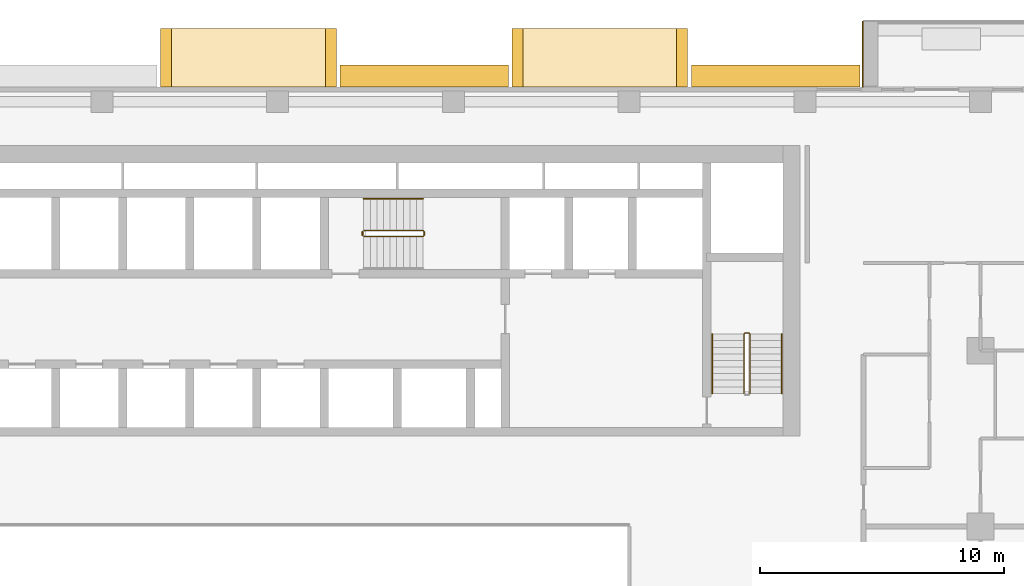
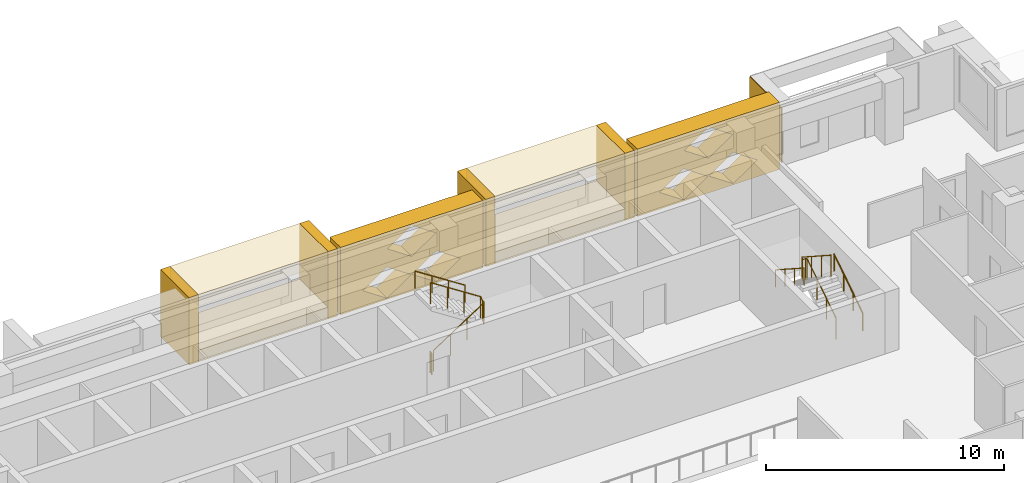
# One storey, part 18 of 19: 11 coverings, 6 railings.
"""IFC4 building model written with IfcOpenShell, lengths in metres."""

from ifc_helpers import new_model, si_unit, direction, frame, origin, origin_2d, place, context, subcontext, project, spatial, polyline, circle, outline, extrude, material, layer, layer_set, type_object, element, save


model = new_model("IFC4")

# Units and contexts
model_context = context("Model", 3, precision=1e-05, world=origin(), true_north=direction((0.0, 1.0)))
body_context = subcontext(model_context, "Body", "Model", "MODEL_VIEW")
ifc_project = project(units=[si_unit("LENGTHUNIT", "METRE"), si_unit("AREAUNIT", "SQUARE_METRE"), si_unit("VOLUMEUNIT", "CUBIC_METRE"), si_unit("PLANEANGLEUNIT", "RADIAN"), si_unit("MASSUNIT", "GRAM", prefix="KILO")], contexts=[model_context])

# Site, building, storey
site_placement = place(None, origin())
site = spatial("IfcSite", under=ifc_project, at=site_placement, CompositionType="ELEMENT")
building_placement = place(site_placement, origin())
building = spatial("IfcBuilding", under=site, at=building_placement, Name="Saffron Iwan Residences", CompositionType="ELEMENT")
storey_placement = place(building_placement, frame((0.0, 0.0, 134.0)))
storey = spatial("IfcBuildingStorey", under=building, at=storey_placement, Name="L35", CompositionType="ELEMENT", Elevation=134.0)

# Coverings
ifc_material_1 = material(Name="Precast concrete C40/50 white painted", Category="concrete")
ifc_layer = layer(ifc_material_1, 0.050048828125)
ifc_layer_set = layer_set([ifc_layer], Name="Precast concrete C40/50 white painted")
covering_type_1 = type_object("IfcCoveringType", Name="FRAME SKIN PRECAST WHITE 50", PredefinedType="CLADDING", material=ifc_layer_set)
covering_placement = place(storey_placement, origin())
element("IfcCovering", 1, at=covering_placement, inside=storey, type_object=covering_type_1, Name="Frame skin fin L35 F5-0b", PredefinedType="CLADDING", context=body_context, shape_type="SweptSolid", body=[
    extrude(outline(polyline([(74.39990234375, 83.10009765625), (74.35009765625, 83.10009765625), (74.35009765625, 80.39990234375), (74.39990234375, 80.39990234375), (74.39990234375, 83.10009765625)])), origin(), (0.0, 0.0, 1.0), 2.800048828125),
])
ifc_material_2 = material(Name="Precast concrete C40/50", Category="concrete")
covering_type_2 = type_object("IfcCoveringType", Name="OUTER SKIN LATTICE SCREEN", PredefinedType="CLADDING", material=ifc_material_2)
for number, where, z_axis, x_axis, name in (
    (2, (74.25, 80.39990234375, -0.300048828125), (0.0, 1.0, 0.0), (-1.0, 0.0, 0.0), "OUTER SKIN lattice screen L35 F5.1"),
    (3, (59.85009765625, 80.39990234375, -0.300048828125), (0.0, 1.0, 0.0), (-1.0, 0.0, 0.0), "OUTER SKIN lattice screen L35 F5.2"),
):
    element("IfcCovering", number, at=place(storey_placement, frame(where, z_axis=z_axis, x_axis=x_axis)), inside=storey, type_object=covering_type_2, Name=name, PredefinedType="CLADDING", context=body_context, shape_type="SweptSolid", body=[
        extrude(outline(polyline([(0.0, 0.0), (6.89990234375, 0.0), (6.89990234375, 3.449951171875), (0.0, 3.449951171875), (0.0, 0.0)]), holes=[polyline([(1.070068359375, 0.862548828125), (2.25, 0.06005859375), (3.429931640625, 0.862548828125), (2.25, 1.6650390625), (1.070068359375, 0.862548828125)]), polyline([(3.469970703125, 0.862548828125), (4.64990234375, 0.06005859375), (5.830078125, 0.862548828125), (4.64990234375, 1.6650390625), (3.469970703125, 0.862548828125)]), polyline([(2.27001953125, 2.58740234375), (3.449951171875, 1.784912109375), (4.6298828125, 2.58740234375), (3.449951171875, 3.389892578125), (2.27001953125, 2.58740234375)])]), origin(), (0.0, 0.0, 1.0), 0.900146484375),
    ])

# Railings
ifc_material_3 = material(Name="Steel S355", Category="steel")
railing_type_1 = type_object("IfcRailingType", Name="Stair guard 1100", PredefinedType="GUARDRAIL", material=ifc_material_3)
railing_1_placement = place(storey_placement, frame((53.925048828125, 74.27490234375, 0.175048828125)))
element("IfcRailing", 4, at=railing_1_placement, inside=storey, type_object=railing_type_1, Name="L35 ST-C stair guard 1", PredefinedType="GUARDRAIL", context=body_context, shape_type="SweptSolid", body=[
    extrude(circle(Radius=0.02392578125, at=origin_2d()), frame((0.0, 0.0, 1.076171875), z_axis=(0.839153699163, 0.0, 0.543894354798), x_axis=(0.0, 1.0, 0.0)), (0.0, 0.0, 1.0), 2.895751953125),
    extrude(circle(Radius=0.02392578125, at=origin_2d()), frame((2.429931640625, 0.0, 2.65087890625), z_axis=(0.707106781187, 0.707106781187, 0.0), x_axis=(-0.707106781187, 0.707106781187, 0.0)), (0.0, 0.0, 1.0), 0.07080078125),
    extrude(circle(Radius=0.02392578125, at=origin_2d()), frame((2.47998046875, 0.050048828125, 2.65087890625), z_axis=(0.0, 1.0, 0.0), x_axis=(-1.0, 0.0, 0.0)), (0.0, 0.0, 1.0), 0.150146484375),
    extrude(circle(Radius=0.02392578125, at=origin_2d()), frame((2.47998046875, 0.2001953125, 2.65087890625), z_axis=(-0.265155923931, 0.263862480399, 0.927399011991), x_axis=(-0.705375805398, -0.708833529934, 0.0)), (0.0, 0.0, 1.0), 0.188720703125),
    extrude(circle(Radius=0.02392578125, at=origin_2d()), frame((2.429931640625, 0.25, 2.826171875), z_axis=(-0.839153699163, 0.0, 0.543894354798), x_axis=(0.0, -1.0, 0.0)), (0.0, 0.0, 1.0), 2.895751953125),
    extrude(circle(Radius=0.02099609375, at=origin_2d()), origin(), (0.0, 0.0, 1.0), 1.052001953125),
    extrude(circle(Radius=0.02099609375, at=origin_2d()), frame((0.81005859375, 0.0, 0.52490234375)), (0.0, 0.0, 1.0), 1.052001953125),
    extrude(circle(Radius=0.02099609375, at=origin_2d()), frame((1.619873046875, 0.0, 1.050048828125)), (0.0, 0.0, 1.0), 1.052001953125),
    extrude(circle(Radius=0.02099609375, at=origin_2d()), frame((2.429931640625, 0.0, 1.574951171875)), (0.0, 0.0, 1.0), 1.052001953125),
    extrude(circle(Radius=0.02099609375, at=origin_2d()), frame((2.47998046875, 0.050048828125, 1.574951171875)), (0.0, 0.0, 1.0), 1.052001953125),
    extrude(circle(Radius=0.02099609375, at=origin_2d()), frame((2.47998046875, 0.2001953125, 1.574951171875)), (0.0, 0.0, 1.0), 1.052001953125),
    extrude(circle(Radius=0.02099609375, at=origin_2d()), frame((2.429931640625, 0.25, 1.75)), (0.0, 0.0, 1.0), 1.052001953125),
    extrude(circle(Radius=0.02099609375, at=origin_2d()), frame((1.619873046875, 0.25, 2.27490234375)), (0.0, 0.0, 1.0), 1.052001953125),
    extrude(circle(Radius=0.02099609375, at=origin_2d()), frame((0.81005859375, 0.25, 2.800048828125)), (0.0, 0.0, 1.0), 1.052001953125),
    extrude(circle(Radius=0.02099609375, at=origin_2d()), frame((0.0, 0.25, 3.324951171875)), (0.0, 0.0, 1.0), 1.052001953125),
])
railing_2_placement = place(storey_placement, frame((53.875, 74.324951171875, 0.0)))
element("IfcRailing", 5, at=railing_2_placement, inside=storey, type_object=railing_type_1, Name="L35 ST-C stair guard 2", PredefinedType="GUARDRAIL", context=body_context, shape_type="SweptSolid", body=[
    extrude(circle(Radius=0.02392578125, at=origin_2d()), frame((0.0, 0.0, 1.076171875), z_axis=(0.0, 1.0, 0.0), x_axis=(-1.0, 0.0, 0.0)), (0.0, 0.0, 1.0), 0.150146484375),
    extrude(circle(Radius=0.02099609375, at=origin_2d()), origin(), (0.0, 0.0, 1.0), 1.052001953125),
    extrude(circle(Radius=0.02099609375, at=origin_2d()), frame((0.0, 0.150146484375, 0.0)), (0.0, 0.0, 1.0), 1.052001953125),
])
railing_3_placement = place(storey_placement, frame((69.75, 67.85009765625, 0.175048828125)))
element("IfcRailing", 6, at=railing_3_placement, inside=storey, type_object=railing_type_1, Name="L35 ST-E stair guard 1", PredefinedType="GUARDRAIL", context=body_context, shape_type="SweptSolid", body=[
    extrude(circle(Radius=0.02392578125, at=origin_2d()), frame((0.0, 0.0, 1.076171875), z_axis=(0.0, 0.839153699163, 0.543894354798), x_axis=(-1.0, 0.0, 0.0)), (0.0, 0.0, 1.0), 2.895751953125),
    extrude(circle(Radius=0.02392578125, at=origin_2d()), frame((0.0, 2.429931640625, 2.65087890625), z_axis=(-0.707106781187, 0.707106781187, 0.0), x_axis=(-0.707106781187, -0.707106781187, 0.0)), (0.0, 0.0, 1.0), 0.07080078125),
    extrude(circle(Radius=0.02392578125, at=origin_2d()), frame((-0.050048828125, 2.47998046875, 2.65087890625), z_axis=(-1.0, 0.0, 0.0), x_axis=(0.0, -1.0, 0.0)), (0.0, 0.0, 1.0), 0.14990234375),
    extrude(circle(Radius=0.02392578125, at=origin_2d()), frame((-0.199951171875, 2.47998046875, 2.65087890625), z_axis=(-0.265065253269, -0.265065253269, 0.927081885822), x_axis=(0.707106781187, -0.707106781187, 0.0)), (0.0, 0.0, 1.0), 0.188720703125),
    extrude(circle(Radius=0.02392578125, at=origin_2d()), frame((-0.25, 2.429931640625, 2.826171875), z_axis=(0.0, -0.839153699163, 0.543894354798), x_axis=(1.0, 0.0, 0.0)), (0.0, 0.0, 1.0), 2.895751953125),
    extrude(circle(Radius=0.02099609375, at=origin_2d()), origin(), (0.0, 0.0, 1.0), 1.052001953125),
    extrude(circle(Radius=0.02099609375, at=origin_2d()), frame((0.0, 0.81005859375, 0.52490234375)), (0.0, 0.0, 1.0), 1.052001953125),
    extrude(circle(Radius=0.02099609375, at=origin_2d()), frame((0.0, 1.619873046875, 1.050048828125)), (0.0, 0.0, 1.0), 1.052001953125),
    extrude(circle(Radius=0.02099609375, at=origin_2d()), frame((0.0, 2.429931640625, 1.574951171875)), (0.0, 0.0, 1.0), 1.052001953125),
    extrude(circle(Radius=0.02099609375, at=origin_2d()), frame((-0.050048828125, 2.47998046875, 1.574951171875)), (0.0, 0.0, 1.0), 1.052001953125),
    extrude(circle(Radius=0.02099609375, at=origin_2d()), frame((-0.199951171875, 2.47998046875, 1.574951171875)), (0.0, 0.0, 1.0), 1.052001953125),
    extrude(circle(Radius=0.02099609375, at=origin_2d()), frame((-0.25, 2.429931640625, 1.75)), (0.0, 0.0, 1.0), 1.052001953125),
    extrude(circle(Radius=0.02099609375, at=origin_2d()), frame((-0.25, 1.619873046875, 2.27490234375)), (0.0, 0.0, 1.0), 1.052001953125),
    extrude(circle(Radius=0.02099609375, at=origin_2d()), frame((-0.25, 0.81005859375, 2.800048828125)), (0.0, 0.0, 1.0), 1.052001953125),
    extrude(circle(Radius=0.02099609375, at=origin_2d()), frame((-0.25, 0.0, 3.324951171875)), (0.0, 0.0, 1.0), 1.052001953125),
])
ifc_material_4 = material(Name="Stainless steel 316", Category="steel")
railing_type_2 = type_object("IfcRailingType", Name="Stair handrail 900", PredefinedType="HANDRAIL", material=ifc_material_4)
railing_4_placement = place(storey_placement, frame((56.35498046875, 75.824951171875, 1.925048828125)))
element("IfcRailing", 7, at=railing_4_placement, inside=storey, type_object=railing_type_2, Name="L35 ST-C stair handrail 2", PredefinedType="HANDRAIL", context=body_context, shape_type="SweptSolid", body=[
    extrude(circle(Radius=0.02392578125, at=origin_2d()), frame((0.0, 0.0, 0.8759765625), z_axis=(-0.839153699163, 0.0, 0.543894354798), x_axis=(0.0, -1.0, 0.0)), (0.0, 0.0, 1.0), 2.895751953125),
    extrude(circle(Radius=0.02099609375, at=origin_2d()), origin(), (0.0, 0.0, 1.0), 0.851806640625),
    extrude(circle(Radius=0.02099609375, at=origin_2d()), frame((-0.81005859375, 0.0, 0.52490234375)), (0.0, 0.0, 1.0), 0.851806640625),
    extrude(circle(Radius=0.02099609375, at=origin_2d()), frame((-1.619873046875, 0.0, 1.050048828125)), (0.0, 0.0, 1.0), 0.851806640625),
    extrude(circle(Radius=0.02099609375, at=origin_2d()), frame((-2.429931640625, 0.0, 1.574951171875)), (0.0, 0.0, 1.0), 0.851806640625),
])
railing_5_placement = place(storey_placement, frame((71.050048828125, 67.85009765625, 0.175048828125)))
element("IfcRailing", 8, at=railing_5_placement, inside=storey, type_object=railing_type_2, Name="L35 ST-E stair handrail 1", PredefinedType="HANDRAIL", context=body_context, shape_type="SweptSolid", body=[
    extrude(circle(Radius=0.02392578125, at=origin_2d()), frame((0.0, 0.0, 0.8759765625), z_axis=(0.0, 0.839153699163, 0.543894354798), x_axis=(-1.0, 0.0, 0.0)), (0.0, 0.0, 1.0), 2.895751953125),
    extrude(circle(Radius=0.02099609375, at=origin_2d()), origin(), (0.0, 0.0, 1.0), 0.851806640625),
    extrude(circle(Radius=0.02099609375, at=origin_2d()), frame((0.0, 0.81005859375, 0.52490234375)), (0.0, 0.0, 1.0), 0.851806640625),
    extrude(circle(Radius=0.02099609375, at=origin_2d()), frame((0.0, 1.619873046875, 1.050048828125)), (0.0, 0.0, 1.0), 0.851806640625),
    extrude(circle(Radius=0.02099609375, at=origin_2d()), frame((0.0, 2.429931640625, 1.574951171875)), (0.0, 0.0, 1.0), 0.851806640625),
])
railing_6_placement = place(storey_placement, frame((68.199951171875, 70.280029296875, 1.925048828125)))
element("IfcRailing", 9, at=railing_6_placement, inside=storey, type_object=railing_type_2, Name="L35 ST-E stair handrail 2", PredefinedType="HANDRAIL", context=body_context, shape_type="SweptSolid", body=[
    extrude(circle(Radius=0.02392578125, at=origin_2d()), frame((0.0, 0.0, 0.8759765625), z_axis=(0.0, -0.839153699163, 0.543894354798), x_axis=(1.0, 0.0, 0.0)), (0.0, 0.0, 1.0), 2.895751953125),
    extrude(circle(Radius=0.02099609375, at=origin_2d()), origin(), (0.0, 0.0, 1.0), 0.851806640625),
    extrude(circle(Radius=0.02099609375, at=origin_2d()), frame((0.0, -0.81005859375, 0.52490234375)), (0.0, 0.0, 1.0), 0.851806640625),
    extrude(circle(Radius=0.02099609375, at=origin_2d()), frame((0.0, -1.619873046875, 1.050048828125)), (0.0, 0.0, 1.0), 0.851806640625),
    extrude(circle(Radius=0.02099609375, at=origin_2d()), frame((0.0, -2.429931640625, 1.574951171875)), (0.0, 0.0, 1.0), 0.851806640625),
])

# Coverings
covering_type_3 = type_object("IfcCoveringType", Name="WHITE SUN FRAME PRECAST", PredefinedType="CLADDING", material=ifc_material_1)
for number, where, z_axis, x_axis, name in (
    (10, (67.199951171875, 80.39990234375, -0.300048828125), (0.0, 1.0, 0.0), (-1.0, 0.0, 0.0), "Sun frame L35 F5 15.6a"),
    (11, (60.449951171875, 80.39990234375, -0.300048828125), (0.0, 1.0, 0.0), (-1.0, 0.0, 0.0), "Sun frame L35 F5 15.6b"),
):
    element("IfcCovering", number, at=place(storey_placement, frame(where, z_axis=z_axis, x_axis=x_axis)), inside=storey, type_object=covering_type_3, Name=name, PredefinedType="CLADDING", context=body_context, shape_type="SweptSolid", body=[
        extrude(outline(polyline([(0.0, 0.0), (0.449951171875, 0.0), (0.449951171875, 3.449951171875), (0.0, 3.449951171875), (0.0, 0.0)])), origin(), (0.0, 0.0, 1.0), 2.400146484375),
    ])
for number, where, z_axis, x_axis, name in (
    (12, (66.75, 80.39990234375, 2.550048828125), (0.0, 1.0, 0.0), (-1.0, 0.0, 0.0), "Sun frame L35 F5 15.6h"),
    (13, (66.75, 80.39990234375, -0.300048828125), (0.0, 1.0, 0.0), (-1.0, 0.0, 0.0), "Sun frame L35 F5 15.6s"),
):
    element("IfcCovering", number, at=place(storey_placement, frame(where, z_axis=z_axis, x_axis=x_axis)), inside=storey, type_object=covering_type_3, Name=name, PredefinedType="CLADDING", context=body_context, shape_type="SweptSolid", body=[
        extrude(outline(polyline([(0.0, 0.0), (6.300048828125, 0.0), (6.300048828125, 0.60009765625), (0.0, 0.60009765625), (0.0, 0.0)])), origin(), (0.0, 0.0, 1.0), 2.400146484375),
    ])
for number, where, z_axis, x_axis, name in (
    (14, (52.800048828125, 80.39990234375, -0.300048828125), (0.0, 1.0, 0.0), (-1.0, 0.0, 0.0), "Sun frame L35 F5 30.0a"),
    (15, (46.050048828125, 80.39990234375, -0.300048828125), (0.0, 1.0, 0.0), (-1.0, 0.0, 0.0), "Sun frame L35 F5 30.0b"),
):
    element("IfcCovering", number, at=place(storey_placement, frame(where, z_axis=z_axis, x_axis=x_axis)), inside=storey, type_object=covering_type_3, Name=name, PredefinedType="CLADDING", context=body_context, shape_type="SweptSolid", body=[
        extrude(outline(polyline([(0.0, 0.0), (0.449951171875, 0.0), (0.449951171875, 3.449951171875), (0.0, 3.449951171875), (0.0, 0.0)])), origin(), (0.0, 0.0, 1.0), 2.400146484375),
    ])
for number, where, z_axis, x_axis, name in (
    (16, (52.35009765625, 80.39990234375, 2.550048828125), (0.0, 1.0, 0.0), (-1.0, 0.0, 0.0), "Sun frame L35 F5 30.0h"),
    (17, (52.35009765625, 80.39990234375, -0.300048828125), (0.0, 1.0, 0.0), (-1.0, 0.0, 0.0), "Sun frame L35 F5 30.0s"),
):
    element("IfcCovering", number, at=place(storey_placement, frame(where, z_axis=z_axis, x_axis=x_axis)), inside=storey, type_object=covering_type_3, Name=name, PredefinedType="CLADDING", context=body_context, shape_type="SweptSolid", body=[
        extrude(outline(polyline([(0.0, 0.0), (6.300048828125, 0.0), (6.300048828125, 0.60009765625), (0.0, 0.60009765625), (0.0, 0.0)])), origin(), (0.0, 0.0, 1.0), 2.400146484375),
    ])

save(model, "model.ifc")
